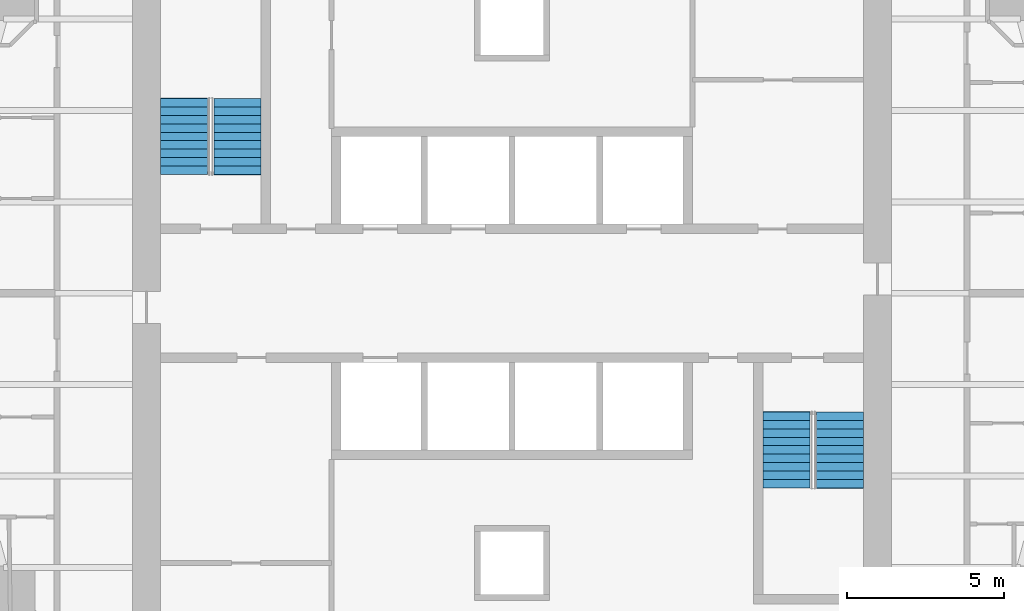
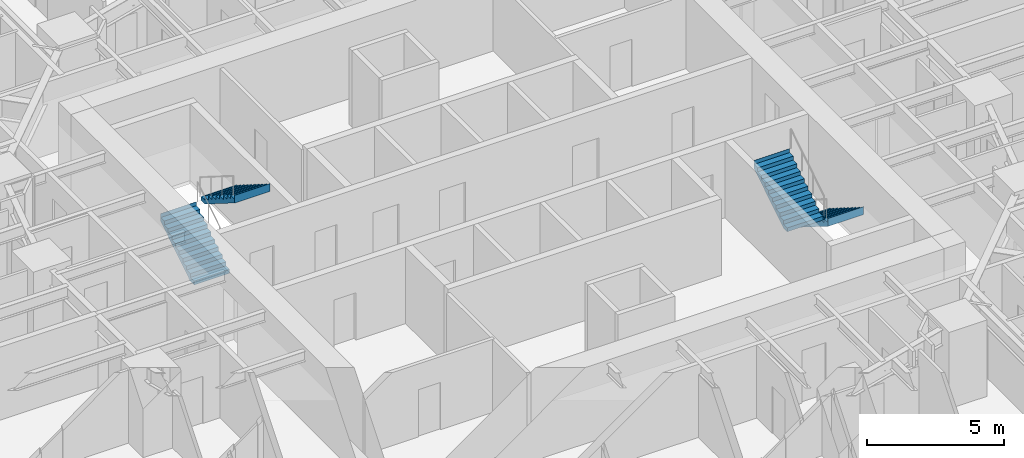
# One storey, part 16 of 17: 4 stair flights, 2 elements without a shape of their own.
"""IFC4 building model written with IfcOpenShell, lengths in metres."""

from ifc_helpers import new_model, si_unit, direction, frame, origin, place, context, subcontext, project, spatial, polyline, outline, extrude, material, type_object, element, aggregate, save


model = new_model("IFC4")

# Units and contexts
model_context = context("Model", 3, precision=1e-05, world=origin(), true_north=direction((0.0, 1.0)))
body_context = subcontext(model_context, "Body", "Model", "MODEL_VIEW")
ifc_project = project(units=[si_unit("LENGTHUNIT", "METRE"), si_unit("AREAUNIT", "SQUARE_METRE"), si_unit("VOLUMEUNIT", "CUBIC_METRE"), si_unit("PLANEANGLEUNIT", "RADIAN"), si_unit("MASSUNIT", "GRAM", prefix="KILO")], contexts=[model_context])

# Site, building, storey
site_placement = place(None, origin())
site = spatial("IfcSite", under=ifc_project, at=site_placement, CompositionType="ELEMENT")
building_placement = place(site_placement, origin())
building = spatial("IfcBuilding", under=site, at=building_placement, Name="Torsade Residences", CompositionType="ELEMENT")
storey_placement = place(building_placement, frame((0.0, 0.0, 21.800048828125)))
storey = spatial("IfcBuildingStorey", under=building, at=storey_placement, Name="L05", CompositionType="ELEMENT", Elevation=21.800048828125)

# Stair, stair flights
ifc_material_1 = material(Name="Precast concrete 40 MPa", Category="concrete")
stair_type = type_object("IfcStairType", Name="HALF-TURN FIRE STAIR 1500x3400", PredefinedType="HALF_TURN_STAIR", material=ifc_material_1)
stair_1_placement = place(storey_placement, origin())
stair_1 = element("IfcStair", 1, at=stair_1_placement, inside=storey, type_object=stair_type, Name="Stair ST1 L05", PredefinedType="HALF_TURN_STAIR")
ifc_material_2 = material(Name="Precast concrete 40 MPa", Category="concrete")
stair_flight_type = type_object("IfcStairFlightType", Name="PRECAST STAIR FLIGHT 1500x1700", PredefinedType="STRAIGHT", material=ifc_material_2)
stair_flight_1_placement = place(storey_placement, frame((29.550048828125, 33.780029296875, 0.0), z_axis=(0.0, 0.0, 1.0), x_axis=(0.0, 1.0, 0.0)))
stair_flight_1 = element("IfcStairFlight", 2, at=stair_flight_1_placement, type_object=stair_flight_type, Name="ST1 flight 1", NumberOfRisers=10, NumberOfTreads=9, PredefinedType="STRAIGHT", RiserHeight=0.17, TreadLength=0.27, context=body_context, shape_type="SweptSolid", body=[
    extrude(outline(polyline([(0.0, 0.0), (0.0, 0.169921875), (0.27001953125, 0.169921875), (0.27001953125, 0.340087890625), (0.5400390625, 0.340087890625), (0.5400390625, 0.510009765625), (0.81005859375, 0.510009765625), (0.81005859375, 0.679931640625), (1.080078125, 0.679931640625), (1.080078125, 0.85009765625), (1.35009765625, 0.85009765625), (1.35009765625, 1.02001953125), (1.6201171875, 1.02001953125), (1.6201171875, 1.18994140625), (1.889892578125, 1.18994140625), (1.889892578125, 1.360107421875), (2.159912109375, 1.360107421875), (2.159912109375, 1.530029296875), (2.429931640625, 1.530029296875), (2.429931640625, 1.699951171875), (2.43994140625, 1.699951171875), (2.43994140625, 1.352783203125), (2.429931640625, 1.352783203125), (0.28125, 0.0), (0.0, 0.0)])), frame((0.0, 0.75, 0.0), z_axis=(0.0, -1.0, 0.0), x_axis=(1.0, 0.0, 0.0)), (0.0, 0.0, 1.0), 1.5),
])
stair_flight_2_placement = place(storey_placement, frame((31.25, 36.2099609375, 1.699951171875), z_axis=(0.0, 0.0, 1.0), x_axis=(0.0, -1.0, 0.0)))
stair_flight_2 = element("IfcStairFlight", 3, at=stair_flight_2_placement, type_object=stair_flight_type, Name="ST1 flight 2", NumberOfRisers=10, NumberOfTreads=9, PredefinedType="STRAIGHT", RiserHeight=0.17, TreadLength=0.27, context=body_context, shape_type="SweptSolid", body=[
    extrude(outline(polyline([(0.0, 0.0), (0.0, 0.169921875), (0.27001953125, 0.169921875), (0.27001953125, 0.340087890625), (0.5400390625, 0.340087890625), (0.5400390625, 0.510009765625), (0.81005859375, 0.510009765625), (0.81005859375, 0.679931640625), (1.080078125, 0.679931640625), (1.080078125, 0.85009765625), (1.35009765625, 0.85009765625), (1.35009765625, 1.02001953125), (1.6201171875, 1.02001953125), (1.6201171875, 1.18994140625), (1.889892578125, 1.18994140625), (1.889892578125, 1.360107421875), (2.159912109375, 1.360107421875), (2.159912109375, 1.530029296875), (2.429931640625, 1.530029296875), (2.429931640625, 1.699951171875), (2.43994140625, 1.699951171875), (2.43994140625, 1.352783203125), (2.429931640625, 1.352783203125), (0.28125, 0.0), (0.0, 0.0)])), frame((0.0, 0.75, 0.0), z_axis=(0.0, -1.0, 0.0), x_axis=(1.0, 0.0, 0.0)), (0.0, 0.0, 1.0), 1.5),
])
aggregate(stair_1, [stair_flight_1, stair_flight_2])

stair_2_placement = place(storey_placement, origin())
stair_2 = element("IfcStair", 4, at=stair_2_placement, inside=storey, type_object=stair_type, Name="Stair ST2 L05", PredefinedType="HALF_TURN_STAIR")
stair_flight_3_placement = place(storey_placement, frame((50.449951171875, 26.219970703125, 0.0), z_axis=(0.0, 0.0, 1.0), x_axis=(0.0, -1.0, 0.0)))
stair_flight_3 = element("IfcStairFlight", 5, at=stair_flight_3_placement, type_object=stair_flight_type, Name="ST2 flight 1", NumberOfRisers=10, NumberOfTreads=9, PredefinedType="STRAIGHT", RiserHeight=0.17, TreadLength=0.27, context=body_context, shape_type="SweptSolid", body=[
    extrude(outline(polyline([(0.0, 0.0), (0.0, 0.169921875), (0.27001953125, 0.169921875), (0.27001953125, 0.340087890625), (0.5400390625, 0.340087890625), (0.5400390625, 0.510009765625), (0.81005859375, 0.510009765625), (0.81005859375, 0.679931640625), (1.080078125, 0.679931640625), (1.080078125, 0.85009765625), (1.35009765625, 0.85009765625), (1.35009765625, 1.02001953125), (1.6201171875, 1.02001953125), (1.6201171875, 1.18994140625), (1.889892578125, 1.18994140625), (1.889892578125, 1.360107421875), (2.159912109375, 1.360107421875), (2.159912109375, 1.530029296875), (2.429931640625, 1.530029296875), (2.429931640625, 1.699951171875), (2.43994140625, 1.699951171875), (2.43994140625, 1.352783203125), (2.429931640625, 1.352783203125), (0.28125, 0.0), (0.0, 0.0)])), frame((0.0, 0.75, 0.0), z_axis=(0.0, -1.0, 0.0), x_axis=(1.0, 0.0, 0.0)), (0.0, 0.0, 1.0), 1.5),
])
stair_flight_4_placement = place(storey_placement, frame((48.75, 23.7900390625, 1.699951171875), z_axis=(0.0, 0.0, 1.0), x_axis=(0.0, 1.0, 0.0)))
stair_flight_4 = element("IfcStairFlight", 6, at=stair_flight_4_placement, type_object=stair_flight_type, Name="ST2 flight 2", NumberOfRisers=10, NumberOfTreads=9, PredefinedType="STRAIGHT", RiserHeight=0.17, TreadLength=0.27, context=body_context, shape_type="SweptSolid", body=[
    extrude(outline(polyline([(0.0, 0.0), (0.0, 0.169921875), (0.27001953125, 0.169921875), (0.27001953125, 0.340087890625), (0.5400390625, 0.340087890625), (0.5400390625, 0.510009765625), (0.81005859375, 0.510009765625), (0.81005859375, 0.679931640625), (1.080078125, 0.679931640625), (1.080078125, 0.85009765625), (1.35009765625, 0.85009765625), (1.35009765625, 1.02001953125), (1.6201171875, 1.02001953125), (1.6201171875, 1.18994140625), (1.889892578125, 1.18994140625), (1.889892578125, 1.360107421875), (2.159912109375, 1.360107421875), (2.159912109375, 1.530029296875), (2.429931640625, 1.530029296875), (2.429931640625, 1.699951171875), (2.43994140625, 1.699951171875), (2.43994140625, 1.352783203125), (2.429931640625, 1.352783203125), (0.28125, 0.0), (0.0, 0.0)])), frame((0.0, 0.75, 0.0), z_axis=(0.0, -1.0, 0.0), x_axis=(1.0, 0.0, 0.0)), (0.0, 0.0, 1.0), 1.5),
])
aggregate(stair_2, [stair_flight_3, stair_flight_4])

save(model, "model.ifc")
